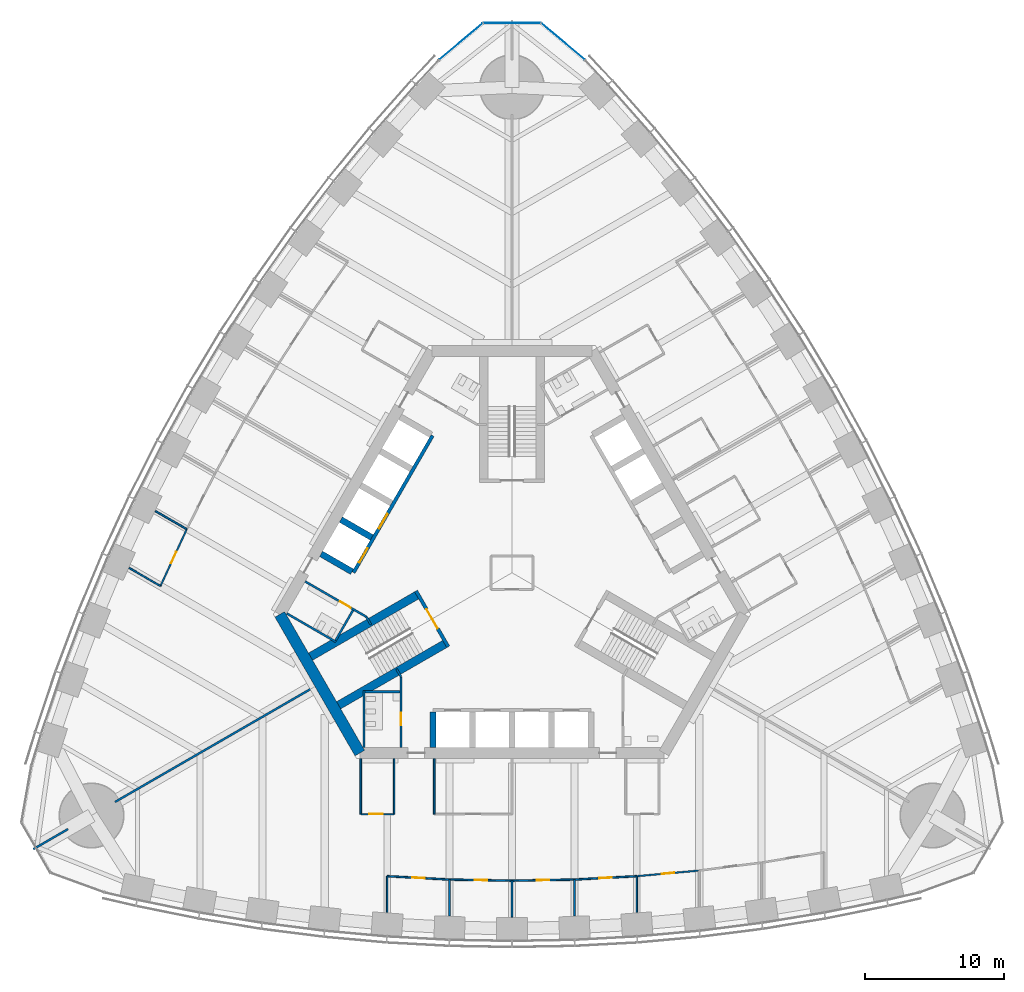
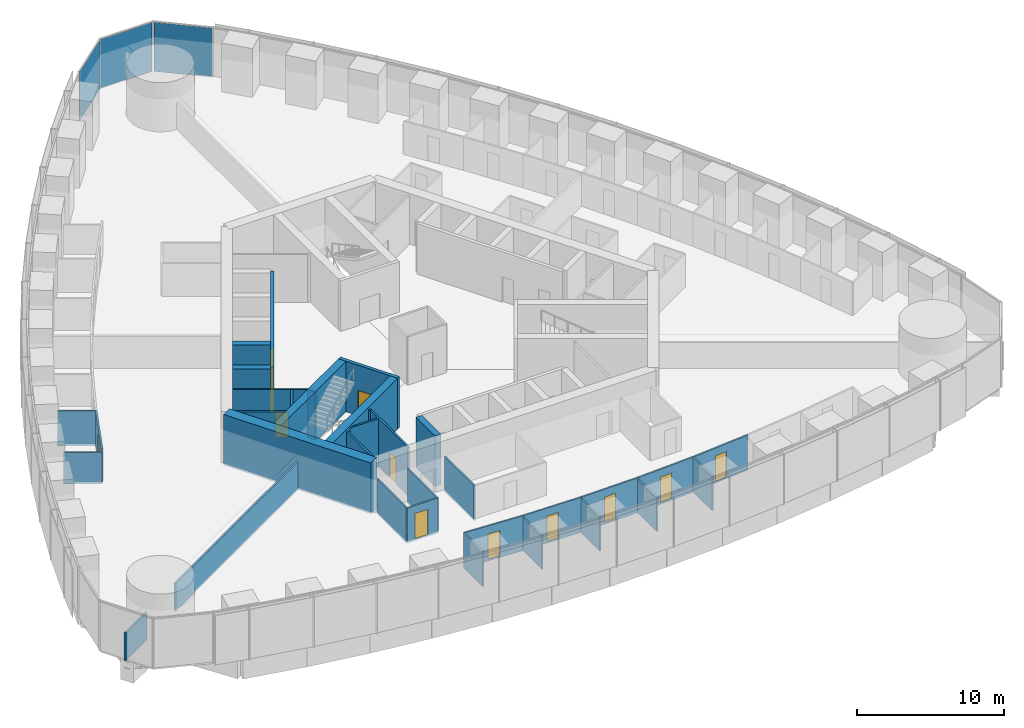
# One storey, part 10 of 19: 35 walls, 12 doors, 3 plates, 12 openings, 1 element without a shape of its own.
"""IFC4 building model written with IfcOpenShell, lengths in metres."""

from ifc_helpers import new_model, si_unit, direction, frame, frame_2d, origin, origin_2d, place, context, subcontext, project, spatial, rectangle, extrude, material, layer, layer_set, type_object, element, fill, aggregate, save


model = new_model("IFC4")

# Units and contexts
model_context = context("Model", 3, precision=1e-05, world=origin(), true_north=direction((0.0, 1.0)))
body_context = subcontext(model_context, "Body", "Model", "MODEL_VIEW")
ifc_project = project(units=[si_unit("LENGTHUNIT", "METRE"), si_unit("AREAUNIT", "SQUARE_METRE"), si_unit("VOLUMEUNIT", "CUBIC_METRE"), si_unit("PLANEANGLEUNIT", "RADIAN"), si_unit("MASSUNIT", "GRAM", prefix="KILO")], contexts=[model_context])

# Site, building, storey
site_placement = place(None, origin())
site = spatial("IfcSite", under=ifc_project, at=site_placement, CompositionType="ELEMENT")
building_placement = place(site_placement, origin())
building = spatial("IfcBuilding", under=site, at=building_placement, Name="Trefoil Bronze Tower", CompositionType="ELEMENT")
storey_placement = place(building_placement, frame((0.0, 0.0, 107.300048828125)))
storey = spatial("IfcBuildingStorey", under=building, at=storey_placement, Name="L24", CompositionType="ELEMENT", Elevation=107.300048828125)

# Curtain wall, plates
ifc_material_1 = material(Name="Tinted solar-control glass", Category="glass")
curtain_wall_type = type_object("IfcCurtainWallType", Name="Bronze rounded corner curtain wall", PredefinedType="USERDEFINED", material=ifc_material_1)
curtain_wall_placement = place(storey_placement, origin())
curtain_wall = element("IfcCurtainWall", 1, at=curtain_wall_placement, inside=storey, type_object=curtain_wall_type, Name="CW-B L24 K2", ObjectType="CURTAIN WALL", PredefinedType="USERDEFINED")
ifc_material_2 = material(Name="Tinted solar-control glass", Category="glass")
ifc_layer_1 = layer(ifc_material_2, 0.030029296875)
ifc_layer_set_1 = layer_set([ifc_layer_1], Name="Bronze rounded corner curtain wall glass panel")
plate_type = type_object("IfcPlateType", Name="Bronze rounded corner curtain wall glass panel", PredefinedType="CURTAIN_PANEL", material=ifc_layer_set_1)
plate_1_placement = place(storey_placement, frame((3.6884765625, 38.294921875, 0.0), z_axis=(0.0, 0.0, 1.0), x_axis=(-0.766044443119, 0.642787609687, 0.0)))
plate_1 = element("IfcPlate", 2, at=plate_1_placement, type_object=plate_type, Name="CW-B L24 K2 panel 1", PredefinedType="CURTAIN_PANEL", context=body_context, shape_type="SweptSolid", body=[
    extrude(rectangle(XDim=4.044189453125, YDim=0.030029296875, at=origin_2d()), origin(), (0.0, 0.0, 1.0), 4.080078125),
])
plate_2_placement = place(storey_placement, frame((0.0, 39.637451171875, 0.0), z_axis=(0.0, 0.0, 1.0), x_axis=(-1.0, 0.0, 0.0)))
plate_2 = element("IfcPlate", 3, at=plate_2_placement, type_object=plate_type, Name="CW-B L24 K2 panel 2", PredefinedType="CURTAIN_PANEL", context=body_context, shape_type="SweptSolid", body=[
    extrude(rectangle(XDim=4.044189453125, YDim=0.030029296875, at=origin_2d()), origin(), (0.0, 0.0, 1.0), 4.080078125),
])
plate_3_placement = place(storey_placement, frame((-3.6884765625, 38.294921875, 0.0), z_axis=(0.0, 0.0, 1.0), x_axis=(-0.766044443119, -0.642787609687, 0.0)))
plate_3 = element("IfcPlate", 4, at=plate_3_placement, type_object=plate_type, Name="CW-B L24 K2 panel 3", PredefinedType="CURTAIN_PANEL", context=body_context, shape_type="SweptSolid", body=[
    extrude(rectangle(XDim=4.044189453125, YDim=0.030029296875, at=origin_2d()), origin(), (0.0, 0.0, 1.0), 4.080078125),
])
aggregate(curtain_wall, [plate_1, plate_2, plate_3])

# Wall
ifc_material_3 = material(Name="Concrete B80", Category="concrete")
ifc_layer_2 = layer(ifc_material_3, 0.800048828125)
ifc_layer_set_2 = layer_set([ifc_layer_2], Name="Core wall 800")
wall_type_1 = type_object("IfcWallType", Name="Core wall 800", PredefinedType="SHEAR", material=ifc_layer_set_2)
wall_1_placement = place(storey_placement, frame((-16.7431640625, -3.0, 0.0), z_axis=(0.0, 0.0, 1.0), x_axis=(0.499995765644, -0.866027848477, 0.0)))
element("IfcWall", 5, at=wall_1_placement, inside=storey, type_object=wall_type_1, Name="Core short wall 3 L24", PredefinedType="SHEAR", context=body_context, shape_type="SweptSolid", body=[
    extrude(rectangle(XDim=11.546875, YDim=0.800048828125, at=frame_2d((5.7734375, 0.0))), origin(), (0.0, 0.0, 1.0), 4.199951171875),
])

# Wall, opening, door
ifc_material_4 = material(Name="Glazed partition", Category="glass")
ifc_layer_3 = layer(ifc_material_4, 0.1201171875)
ifc_layer_set_3 = layer_set([ifc_layer_3], Name="Glazed partition 120")
wall_type_2 = type_object("IfcWallType", Name="Glazed partition 120", PredefinedType="PARTITIONING", material=ifc_layer_set_3)
wall_2_placement = place(storey_placement, frame((-10.89990234375, -17.39990234375, 0.0), z_axis=(0.0, 0.0, 1.0), x_axis=(1.0, 0.0, 0.0)))
wall_2 = element("IfcWall", 6, at=wall_2_placement, inside=storey, type_object=wall_type_2, Name="Partition F1 L24", PredefinedType="PARTITIONING", context=body_context, shape_type="SweptSolid", body=[
    extrude(rectangle(XDim=2.39990234375, YDim=0.1201171875, at=frame_2d((1.199951171875, 0.0))), origin(), (0.0, 0.0, 1.0), 2.89990234375),
])
opening_1_placement = place(wall_2_placement, frame((0.60009765625, 0.0, 0.14990234375)))
opening_1 = element("IfcOpeningElement", 7, at=opening_1_placement, cuts=wall_2, Name="Opening D9", PredefinedType="OPENING", context=body_context, shape_type="SweptSolid", body=[
    extrude(rectangle(XDim=1.0, YDim=2.10009765625, at=frame_2d((0.5, 1.050048828125))), frame((0.0, 0.070068359375, 0.0), z_axis=(0.0, -1.0, 0.0), x_axis=(1.0, 0.0, 0.0)), (0.0, 0.0, 1.0), 0.14013671875),
])
ifc_material_5 = material(Name="Glazed timber door", Category="wood")
door_type_1 = type_object("IfcDoorType", Name="Meeting room door 1000", OperationType="SINGLE_SWING_LEFT", PredefinedType="DOOR", material=ifc_material_5)
door_1_placement = place(opening_1_placement, origin())
door_1 = element("IfcDoor", 8, at=door_1_placement, inside=storey, type_object=door_type_1, Name="Project room door F1 L24", OperationType="SINGLE_SWING_LEFT", OverallHeight=2.10009765625, OverallWidth=1.0, PredefinedType="DOOR", context=body_context, shape_type="SweptSolid", body=[
    extrude(rectangle(XDim=1.0, YDim=2.10009765625, at=frame_2d((0.5, 1.050048828125))), frame((0.0, 0.02490234375, 0.0), z_axis=(0.0, -1.0, 0.0), x_axis=(1.0, 0.0, 0.0)), (0.0, 0.0, 1.0), 0.050048828125),
])
fill(opening_1, door_1)

# Walls
for number, where, z_axis, x_axis, name in (
    (9, (-10.89990234375, -13.39990234375, 0.0), (0.0, 0.0, 1.0), (0.0, -1.0, 0.0), "Partition F1 L24"),
    (10, (-5.60009765625, -13.39990234375, 0.0), (0.0, 0.0, 1.0), (0.0, -1.0, 0.0), "Partition F1 L24"),
    (11, (-8.5, -13.39990234375, 0.0), (0.0, 0.0, 1.0), (0.0, -1.0, 0.0), "Partition F1 L24"),
):
    element("IfcWall", number, at=place(storey_placement, frame(where, z_axis=z_axis, x_axis=x_axis)), inside=storey, type_object=wall_type_2, Name=name, PredefinedType="PARTITIONING", context=body_context, shape_type="SweptSolid", body=[
        extrude(rectangle(XDim=4.0, YDim=0.1201171875, at=frame_2d((2.0, 0.0))), origin(), (0.0, 0.0, 1.0), 2.89990234375),
    ])

# Wall, opening, door
wall_3_placement = place(storey_placement, frame((0.0, -22.19970703125, 0.0), z_axis=(0.0, 0.0, 1.0), x_axis=(0.999837820638, 0.018009231578, 0.0)))
wall_3 = element("IfcWall", 12, at=wall_3_placement, inside=storey, type_object=wall_type_2, Name="Partition F1 L24", PredefinedType="PARTITIONING", context=body_context, shape_type="SweptSolid", body=[
    extrude(rectangle(XDim=4.500732421875, YDim=0.1201171875, at=frame_2d((2.25048828125, 0.0))), origin(), (0.0, 0.0, 1.0), 2.89990234375),
])
opening_2_placement = place(wall_3_placement, frame((1.800048828125, 0.0, 0.14990234375)))
opening_2 = element("IfcOpeningElement", 13, at=opening_2_placement, cuts=wall_3, Name="Opening D8", PredefinedType="OPENING", context=body_context, shape_type="SweptSolid", body=[
    extrude(rectangle(XDim=0.89990234375, YDim=2.10009765625, at=frame_2d((0.449951171875, 1.050048828125))), frame((0.0, 0.070068359375, 0.0), z_axis=(0.0, -1.0, 0.0), x_axis=(1.0, 0.0, 0.0)), (0.0, 0.0, 1.0), 0.14013671875),
])
ifc_material_6 = material(Name="Timber door", Category="wood")
door_type_2 = type_object("IfcDoorType", Name="Office door 900", OperationType="SINGLE_SWING_LEFT", PredefinedType="DOOR", material=ifc_material_6)
door_2_placement = place(opening_2_placement, frame((0.89990234375, 0.0, 0.0), z_axis=(0.0, 0.0, 1.0), x_axis=(-1.0, 0.0, 0.0)))
door_2 = element("IfcDoor", 14, at=door_2_placement, inside=storey, type_object=door_type_2, Name="Office door F1 L24", OperationType="SINGLE_SWING_RIGHT", OverallHeight=2.10009765625, OverallWidth=0.89990234375, PredefinedType="DOOR", context=body_context, shape_type="SweptSolid", body=[
    extrude(rectangle(XDim=0.89990234375, YDim=2.10009765625, at=frame_2d((0.449951171875, 1.050048828125))), frame((0.0, 0.02490234375, 0.0), z_axis=(0.0, -1.0, 0.0), x_axis=(1.0, 0.0, 0.0)), (0.0, 0.0, 1.0), 0.050048828125),
])
fill(opening_2, door_2)

wall_4_placement = place(storey_placement, frame((4.5, -22.11865234375, 0.0), z_axis=(0.0, 0.0, 1.0), x_axis=(0.998537376538, 0.054065771581, 0.0)))
wall_4 = element("IfcWall", 15, at=wall_4_placement, inside=storey, type_object=wall_type_2, Name="Partition F1 L24", PredefinedType="PARTITIONING", context=body_context, shape_type="SweptSolid", body=[
    extrude(rectangle(XDim=4.506591796875, YDim=0.1201171875, at=frame_2d((2.25341796875, 0.0))), origin(), (0.0, 0.0, 1.0), 2.89990234375),
])
opening_3_placement = place(wall_4_placement, frame((1.800048828125, 0.0, 0.14990234375)))
opening_3 = element("IfcOpeningElement", 16, at=opening_3_placement, cuts=wall_4, Name="Opening D8", PredefinedType="OPENING", context=body_context, shape_type="SweptSolid", body=[
    extrude(rectangle(XDim=0.89990234375, YDim=2.10009765625, at=frame_2d((0.449951171875, 1.050048828125))), frame((0.0, 0.070068359375, 0.0), z_axis=(0.0, -1.0, 0.0), x_axis=(1.0, 0.0, 0.0)), (0.0, 0.0, 1.0), 0.14013671875),
])
door_3_placement = place(opening_3_placement, frame((0.89990234375, 0.0, 0.0), z_axis=(0.0, 0.0, 1.0), x_axis=(-1.0, 0.0, 0.0)))
door_3 = element("IfcDoor", 17, at=door_3_placement, inside=storey, type_object=door_type_2, Name="Office door F1 L24", OperationType="SINGLE_SWING_RIGHT", OverallHeight=2.10009765625, OverallWidth=0.89990234375, PredefinedType="DOOR", context=body_context, shape_type="SweptSolid", body=[
    extrude(rectangle(XDim=0.89990234375, YDim=2.10009765625, at=frame_2d((0.449951171875, 1.050048828125))), frame((0.0, 0.02490234375, 0.0), z_axis=(0.0, -1.0, 0.0), x_axis=(1.0, 0.0, 0.0)), (0.0, 0.0, 1.0), 0.050048828125),
])
fill(opening_3, door_3)

wall_5_placement = place(storey_placement, frame((9.0, -21.875, 0.0), z_axis=(0.0, 0.0, 1.0), x_axis=(0.995930325215, 0.090126507295, 0.0)))
wall_5 = element("IfcWall", 18, at=wall_5_placement, inside=storey, type_object=wall_type_2, Name="Partition F1 L24", PredefinedType="PARTITIONING", context=body_context, shape_type="SweptSolid", body=[
    extrude(rectangle(XDim=4.518310546875, YDim=0.1201171875, at=frame_2d((2.25927734375, 0.0))), origin(), (0.0, 0.0, 1.0), 2.89990234375),
])
opening_4_placement = place(wall_5_placement, frame((1.800048828125, 0.0, 0.14990234375)))
opening_4 = element("IfcOpeningElement", 19, at=opening_4_placement, cuts=wall_5, Name="Opening D8", PredefinedType="OPENING", context=body_context, shape_type="SweptSolid", body=[
    extrude(rectangle(XDim=0.89990234375, YDim=2.10009765625, at=frame_2d((0.449951171875, 1.050048828125))), frame((0.0, 0.070068359375, 0.0), z_axis=(0.0, -1.0, 0.0), x_axis=(1.0, 0.0, 0.0)), (0.0, 0.0, 1.0), 0.14013671875),
])
door_4_placement = place(opening_4_placement, frame((0.89990234375, 0.0, 0.0), z_axis=(0.0, 0.0, 1.0), x_axis=(-1.0, 0.0, 0.0)))
door_4 = element("IfcDoor", 20, at=door_4_placement, inside=storey, type_object=door_type_2, Name="Office door F1 L24", OperationType="SINGLE_SWING_RIGHT", OverallHeight=2.10009765625, OverallWidth=0.89990234375, PredefinedType="DOOR", context=body_context, shape_type="SweptSolid", body=[
    extrude(rectangle(XDim=0.89990234375, YDim=2.10009765625, at=frame_2d((0.449951171875, 1.050048828125))), frame((0.0, 0.02490234375, 0.0), z_axis=(0.0, -1.0, 0.0), x_axis=(1.0, 0.0, 0.0)), (0.0, 0.0, 1.0), 0.050048828125),
])
fill(opening_4, door_4)

wall_6_placement = place(storey_placement, frame((-4.5, -22.11865234375, 0.0), z_axis=(0.0, 0.0, 1.0), x_axis=(0.999837820638, -0.018009231578, 0.0)))
wall_6 = element("IfcWall", 21, at=wall_6_placement, inside=storey, type_object=wall_type_2, Name="Partition F1 L24", PredefinedType="PARTITIONING", context=body_context, shape_type="SweptSolid", body=[
    extrude(rectangle(XDim=4.500732421875, YDim=0.1201171875, at=frame_2d((2.25048828125, 0.0))), origin(), (0.0, 0.0, 1.0), 2.89990234375),
])
opening_5_placement = place(wall_6_placement, frame((1.800048828125, 0.0, 0.14990234375)))
opening_5 = element("IfcOpeningElement", 22, at=opening_5_placement, cuts=wall_6, Name="Opening D8", PredefinedType="OPENING", context=body_context, shape_type="SweptSolid", body=[
    extrude(rectangle(XDim=0.89990234375, YDim=2.10009765625, at=frame_2d((0.449951171875, 1.050048828125))), frame((0.0, 0.070068359375, 0.0), z_axis=(0.0, -1.0, 0.0), x_axis=(1.0, 0.0, 0.0)), (0.0, 0.0, 1.0), 0.14013671875),
])
door_5_placement = place(opening_5_placement, frame((0.89990234375, 0.0, 0.0), z_axis=(0.0, 0.0, 1.0), x_axis=(-1.0, 0.0, 0.0)))
door_5 = element("IfcDoor", 23, at=door_5_placement, inside=storey, type_object=door_type_2, Name="Office door F1 L24", OperationType="SINGLE_SWING_RIGHT", OverallHeight=2.10009765625, OverallWidth=0.89990234375, PredefinedType="DOOR", context=body_context, shape_type="SweptSolid", body=[
    extrude(rectangle(XDim=0.89990234375, YDim=2.10009765625, at=frame_2d((0.449951171875, 1.050048828125))), frame((0.0, 0.02490234375, 0.0), z_axis=(0.0, -1.0, 0.0), x_axis=(1.0, 0.0, 0.0)), (0.0, 0.0, 1.0), 0.050048828125),
])
fill(opening_5, door_5)

wall_7_placement = place(storey_placement, frame((-9.0, -21.875, 0.0), z_axis=(0.0, 0.0, 1.0), x_axis=(0.998537376538, -0.054065771581, 0.0)))
wall_7 = element("IfcWall", 24, at=wall_7_placement, inside=storey, type_object=wall_type_2, Name="Partition F1 L24", PredefinedType="PARTITIONING", context=body_context, shape_type="SweptSolid", body=[
    extrude(rectangle(XDim=4.506591796875, YDim=0.1201171875, at=frame_2d((2.25341796875, 0.0))), origin(), (0.0, 0.0, 1.0), 2.89990234375),
])
opening_6_placement = place(wall_7_placement, frame((1.800048828125, 0.0, 0.14990234375)))
opening_6 = element("IfcOpeningElement", 25, at=opening_6_placement, cuts=wall_7, Name="Opening D8", PredefinedType="OPENING", context=body_context, shape_type="SweptSolid", body=[
    extrude(rectangle(XDim=0.89990234375, YDim=2.10009765625, at=frame_2d((0.449951171875, 1.050048828125))), frame((0.0, 0.070068359375, 0.0), z_axis=(0.0, -1.0, 0.0), x_axis=(1.0, 0.0, 0.0)), (0.0, 0.0, 1.0), 0.14013671875),
])
door_6_placement = place(opening_6_placement, frame((0.89990234375, 0.0, 0.0), z_axis=(0.0, 0.0, 1.0), x_axis=(-1.0, 0.0, 0.0)))
door_6 = element("IfcDoor", 26, at=door_6_placement, inside=storey, type_object=door_type_2, Name="Office door F1 L24", OperationType="SINGLE_SWING_RIGHT", OverallHeight=2.10009765625, OverallWidth=0.89990234375, PredefinedType="DOOR", context=body_context, shape_type="SweptSolid", body=[
    extrude(rectangle(XDim=0.89990234375, YDim=2.10009765625, at=frame_2d((0.449951171875, 1.050048828125))), frame((0.0, 0.02490234375, 0.0), z_axis=(0.0, -1.0, 0.0), x_axis=(1.0, 0.0, 0.0)), (0.0, 0.0, 1.0), 0.050048828125),
])
fill(opening_6, door_6)

# Walls
wall_8_placement = place(storey_placement, frame((0.0, -22.19970703125, 0.0), z_axis=(0.0, 0.0, 1.0), x_axis=(0.0, -1.0, 0.0)))
element("IfcWall", 27, at=wall_8_placement, inside=storey, type_object=wall_type_2, Name="Partition F1 L24", PredefinedType="PARTITIONING", context=body_context, shape_type="SweptSolid", body=[
    extrude(rectangle(XDim=2.619873046875, YDim=0.1201171875, at=frame_2d((1.31005859375, 0.0))), origin(), (0.0, 0.0, 1.0), 2.800048828125),
])
wall_9_placement = place(storey_placement, frame((4.5, -22.11865234375, 0.0), z_axis=(0.0, 0.0, 1.0), x_axis=(0.0, -1.0, 0.0)))
element("IfcWall", 28, at=wall_9_placement, inside=storey, type_object=wall_type_2, Name="Partition F1 L24", PredefinedType="PARTITIONING", context=body_context, shape_type="SweptSolid", body=[
    extrude(rectangle(XDim=2.618896484375, YDim=0.1201171875, at=frame_2d((1.3095703125, 0.0))), origin(), (0.0, 0.0, 1.0), 2.800048828125),
])
wall_10_placement = place(storey_placement, frame((9.0, -21.875, 0.0), z_axis=(0.0, 0.0, 1.0), x_axis=(0.0, -1.0, 0.0)))
element("IfcWall", 29, at=wall_10_placement, inside=storey, type_object=wall_type_2, Name="Partition F1 L24", PredefinedType="PARTITIONING", context=body_context, shape_type="SweptSolid", body=[
    extrude(rectangle(XDim=2.61572265625, YDim=0.1201171875, at=frame_2d((1.307861328125, 0.0))), origin(), (0.0, 0.0, 1.0), 2.89990234375),
])
wall_11_placement = place(storey_placement, frame((-4.5, -22.11865234375, 0.0), z_axis=(0.0, 0.0, 1.0), x_axis=(0.0, -1.0, 0.0)))
element("IfcWall", 30, at=wall_11_placement, inside=storey, type_object=wall_type_2, Name="Partition F1 L24", PredefinedType="PARTITIONING", context=body_context, shape_type="SweptSolid", body=[
    extrude(rectangle(XDim=2.618896484375, YDim=0.1201171875, at=frame_2d((1.3095703125, 0.0))), origin(), (0.0, 0.0, 1.0), 2.800048828125),
])
wall_12_placement = place(storey_placement, frame((-9.0, -21.875, 0.0), z_axis=(0.0, 0.0, 1.0), x_axis=(0.0, -1.0, 0.0)))
element("IfcWall", 31, at=wall_12_placement, inside=storey, type_object=wall_type_2, Name="Partition F1 L24", PredefinedType="PARTITIONING", context=body_context, shape_type="SweptSolid", body=[
    extrude(rectangle(XDim=2.61572265625, YDim=0.1201171875, at=frame_2d((1.307861328125, 0.0))), origin(), (0.0, 0.0, 1.0), 2.89990234375),
])

# Wall, opening, door
wall_13_placement = place(storey_placement, frame((-23.4443359375, 3.143310546875, 0.0), z_axis=(0.0, 0.0, 1.0), x_axis=(-0.419883773418, -0.907577884713, 0.0)))
wall_13 = element("IfcWall", 32, at=wall_13_placement, inside=storey, type_object=wall_type_2, Name="Partition F3 L24", PredefinedType="PARTITIONING", context=body_context, shape_type="SweptSolid", body=[
    extrude(rectangle(XDim=4.5185546875, YDim=0.1201171875, at=frame_2d((2.25927734375, 0.0))), origin(), (0.0, 0.0, 1.0), 2.89990234375),
])
opening_7_placement = place(wall_13_placement, frame((1.800048828125, 0.0, 0.14990234375)))
opening_7 = element("IfcOpeningElement", 33, at=opening_7_placement, cuts=wall_13, Name="Opening D8", PredefinedType="OPENING", context=body_context, shape_type="SweptSolid", body=[
    extrude(rectangle(XDim=0.89990234375, YDim=2.10009765625, at=frame_2d((0.449951171875, 1.050048828125))), frame((0.0, 0.070068359375, 0.0), z_axis=(0.0, -1.0, 0.0), x_axis=(1.0, 0.0, 0.0)), (0.0, 0.0, 1.0), 0.14013671875),
])
door_7_placement = place(opening_7_placement, frame((0.89990234375, 0.0, 0.0), z_axis=(0.0, 0.0, 1.0), x_axis=(-1.0, 0.0, 0.0)))
door_7 = element("IfcDoor", 34, at=door_7_placement, inside=storey, type_object=door_type_2, Name="Office door F3 L24", OperationType="SINGLE_SWING_RIGHT", OverallHeight=2.10009765625, OverallWidth=0.89990234375, PredefinedType="DOOR", context=body_context, shape_type="SweptSolid", body=[
    extrude(rectangle(XDim=0.89990234375, YDim=2.10009765625, at=frame_2d((0.449951171875, 1.050048828125))), frame((0.0, 0.02490234375, 0.0), z_axis=(0.0, -1.0, 0.0), x_axis=(1.0, 0.0, 0.0)), (0.0, 0.0, 1.0), 0.050048828125),
])
fill(opening_7, door_7)

# Walls
wall_14_placement = place(storey_placement, frame((-25.341552734375, -0.95751953125, 0.0), z_axis=(0.0, 0.0, 1.0), x_axis=(-0.866036074319, 0.499981517636, 0.0)))
element("IfcWall", 35, at=wall_14_placement, inside=storey, type_object=wall_type_2, Name="Partition F3 L24", PredefinedType="PARTITIONING", context=body_context, shape_type="SweptSolid", body=[
    extrude(rectangle(XDim=2.6103515625, YDim=0.1201171875, at=frame_2d((1.30517578125, 0.0))), origin(), (0.0, 0.0, 1.0), 2.599853515625),
])
wall_15_placement = place(storey_placement, frame((-23.4443359375, 3.143310546875, 0.0), z_axis=(0.0, 0.0, 1.0), x_axis=(-0.866011491631, 0.500024095782, 0.0)))
element("IfcWall", 36, at=wall_15_placement, inside=storey, type_object=wall_type_2, Name="Partition F3 L24", PredefinedType="PARTITIONING", context=body_context, shape_type="SweptSolid", body=[
    extrude(rectangle(XDim=2.615478515625, YDim=0.1201171875, at=frame_2d((1.3076171875, 0.0))), origin(), (0.0, 0.0, 1.0), 2.89990234375),
])
ifc_material_7 = material(Name="Concrete B80", Category="concrete")
ifc_layer_4 = layer(ifc_material_7, 0.449951171875)
ifc_layer_set_4 = layer_set([ifc_layer_4], Name="Outrigger shaft wall 450")
wall_type_3 = type_object("IfcWallType", Name="Outrigger shaft wall 450", PredefinedType="SHEAR", material=ifc_layer_set_4)
wall_16_placement = place(storey_placement, frame((-5.699951171875, -10.02490234375, 0.0), z_axis=(0.0, 0.0, 1.0), x_axis=(0.0, -1.0, 0.0)))
element("IfcWall", 37, at=wall_16_placement, inside=storey, type_object=wall_type_3, Name="Lift shaft side wall A0 L24", PredefinedType="SHEAR", context=body_context, shape_type="SweptSolid", body=[
    extrude(rectangle(XDim=2.5751953125, YDim=0.449951171875, at=frame_2d((1.28759765625, 0.0))), origin(), (0.0, 0.0, 1.0), 4.199951171875),
])
for number, where, z_axis, x_axis, name in (
    (38, (-10.10693359375, 2.54443359375, 0.0), (0.0, 0.0, 1.0), (-0.866046643894, 0.499963209246, 0.0), "Lift shaft side wall C3 L24"),
    (39, (-11.531982421875, 0.076171875, 0.0), (0.0, 0.0, 1.0), (-0.866005588531, 0.500034319456, 0.0), "Lift shaft side wall C4 L24"),
):
    element("IfcWall", number, at=place(storey_placement, frame(where, z_axis=z_axis, x_axis=x_axis)), inside=storey, type_object=wall_type_3, Name=name, PredefinedType="SHEAR", context=body_context, shape_type="SweptSolid", body=[
        extrude(rectangle(XDim=2.574951171875, YDim=0.449951171875, at=frame_2d((1.28759765625, 0.0))), origin(), (0.0, 0.0, 1.0), 4.199951171875),
    ])

# Wall, opening, door
ifc_material_8 = material(Name="Gypsum board on steel studs", Category="steel")
ifc_layer_5 = layer(ifc_material_8, 0.14990234375)
ifc_layer_set_5 = layer_set([ifc_layer_5], Name="Partition 150")
wall_type_4 = type_object("IfcWallType", Name="Partition 150", PredefinedType="PARTITIONING", material=ifc_layer_set_5)
wall_17_placement = place(storey_placement, frame((-8.0, -7.5, 0.0), z_axis=(0.0, 0.0, 1.0), x_axis=(0.0, -1.0, 0.0)))
wall_17 = element("IfcWall", 40, at=wall_17_placement, inside=storey, type_object=wall_type_4, Name="Passage wall F1- L24", PredefinedType="PARTITIONING", context=body_context, shape_type="SweptSolid", body=[
    extrude(rectangle(XDim=5.10009765625, YDim=0.14990234375, at=frame_2d((2.550048828125, 0.0))), origin(), (0.0, 0.0, 1.0), 4.0),
])
opening_8_placement = place(wall_17_placement, frame((2.60009765625, 0.0, 0.0)))
opening_8 = element("IfcOpeningElement", 41, at=opening_8_placement, cuts=wall_17, Name="Opening D3", PredefinedType="OPENING", context=body_context, shape_type="SweptSolid", body=[
    extrude(rectangle(XDim=0.89990234375, YDim=2.10009765625, at=frame_2d((0.449951171875, 1.050048828125))), frame((0.0, 0.0849609375, 0.0), z_axis=(0.0, -1.0, 0.0), x_axis=(1.0, 0.0, 0.0)), (0.0, 0.0, 1.0), 0.169921875),
])
ifc_material_9 = material(Name="Timber door", Category="wood")
door_type_3 = type_object("IfcDoorType", Name="WC door 900", OperationType="SINGLE_SWING_LEFT", PredefinedType="DOOR", material=ifc_material_9)
door_8_placement = place(opening_8_placement, frame((0.89990234375, 0.0, 0.0), z_axis=(0.0, 0.0, 1.0), x_axis=(-1.0, 0.0, 0.0)))
door_8 = element("IfcDoor", 42, at=door_8_placement, inside=storey, type_object=door_type_3, Name="WC (women) door L24", OperationType="SINGLE_SWING_RIGHT", OverallHeight=2.10009765625, OverallWidth=0.89990234375, PredefinedType="DOOR", context=body_context, shape_type="SweptSolid", body=[
    extrude(rectangle(XDim=0.89990234375, YDim=2.10009765625, at=frame_2d((0.449951171875, 1.050048828125))), frame((0.0, 0.02490234375, 0.0), z_axis=(0.0, -1.0, 0.0), x_axis=(1.0, 0.0, 0.0)), (0.0, 0.0, 1.0), 0.050048828125),
])
fill(opening_8, door_8)

wall_18_placement = place(storey_placement, frame((-10.4951171875, -3.17822265625, 0.0), z_axis=(0.0, 0.0, 1.0), x_axis=(-0.86602216432, 0.500005610874, 0.0)))
wall_18 = element("IfcWall", 43, at=wall_18_placement, inside=storey, type_object=wall_type_4, Name="Passage wall F3+ L24", PredefinedType="PARTITIONING", context=body_context, shape_type="SweptSolid", body=[
    extrude(rectangle(XDim=5.10009765625, YDim=0.14990234375, at=frame_2d((2.550048828125, 0.0))), origin(), (0.0, 0.0, 1.0), 4.0),
])
opening_9_placement = place(wall_18_placement, frame((1.300048828125, 0.0, 0.0)))
opening_9 = element("IfcOpeningElement", 44, at=opening_9_placement, cuts=wall_18, Name="Opening D3", PredefinedType="OPENING", context=body_context, shape_type="SweptSolid", body=[
    extrude(rectangle(XDim=0.89990234375, YDim=2.10009765625, at=frame_2d((0.449951171875, 1.050048828125))), frame((0.0, 0.0849609375, 0.0), z_axis=(0.0, -1.0, 0.0), x_axis=(1.0, 0.0, 0.0)), (0.0, 0.0, 1.0), 0.169921875),
])
door_9_placement = place(opening_9_placement, origin())
door_9 = element("IfcDoor", 45, at=door_9_placement, inside=storey, type_object=door_type_3, Name="WC (men) door L24", OperationType="SINGLE_SWING_LEFT", OverallHeight=2.10009765625, OverallWidth=0.89990234375, PredefinedType="DOOR", context=body_context, shape_type="SweptSolid", body=[
    extrude(rectangle(XDim=0.89990234375, YDim=2.10009765625, at=frame_2d((0.449951171875, 1.050048828125))), frame((0.0, 0.02490234375, 0.0), z_axis=(0.0, -1.0, 0.0), x_axis=(1.0, 0.0, 0.0)), (0.0, 0.0, 1.0), 0.050048828125),
])
fill(opening_9, door_9)

# Walls
for number, where, z_axis, x_axis, name in (
    (46, (-10.4951171875, -3.17822265625, 0.0), (0.0, 0.0, 1.0), (0.499842556608, -0.866116284689, 0.0), "WC wall ST3-1 L24"),
    (47, (-8.0, -7.5, 0.0), (0.0, 0.0, 1.0), (-0.499842556608, 0.866116284689, 0.0), "WC wall ST3+1 L24"),
):
    element("IfcWall", number, at=place(storey_placement, frame(where, z_axis=z_axis, x_axis=x_axis)), inside=storey, type_object=wall_type_4, Name=name, PredefinedType="PARTITIONING", context=body_context, shape_type="SweptSolid", body=[
        extrude(rectangle(XDim=0.645263671875, YDim=0.14990234375, at=frame_2d((0.32275390625, 0.0))), origin(), (0.0, 0.0, 1.0), 4.0),
    ])
wall_19_placement = place(storey_placement, frame((-12.691162109375, -4.98193359375, 0.0), z_axis=(0.0, 0.0, 1.0), x_axis=(-0.8660249478, 0.500000789788, 0.0)))
element("IfcWall", 48, at=wall_19_placement, inside=storey, type_object=wall_type_4, Name="WC partition WC (men) L24", PredefinedType="PARTITIONING", context=body_context, shape_type="SweptSolid", body=[
    extrude(rectangle(XDim=4.10009765625, YDim=0.14990234375, at=frame_2d((2.050048828125, 0.0))), origin(), (0.0, 0.0, 1.0), 4.0),
])
wall_20_placement = place(storey_placement, frame((-11.463623046875, -2.70556640625, 0.0), z_axis=(0.0, 0.0, 1.0), x_axis=(-0.50001992892, -0.866013897511, 0.0)))
element("IfcWall", 49, at=wall_20_placement, inside=storey, type_object=wall_type_4, Name="WC partition WC (men) L24", PredefinedType="PARTITIONING", context=body_context, shape_type="SweptSolid", body=[
    extrude(rectangle(XDim=2.51025390625, YDim=0.14990234375, at=frame_2d((1.255126953125, 0.0))), origin(), (0.0, 0.0, 1.0), 4.0),
])
wall_21_placement = place(storey_placement, frame((-10.659912109375, -8.5, 0.0), z_axis=(0.0, 0.0, 1.0), x_axis=(0.0, -1.0, 0.0)))
element("IfcWall", 50, at=wall_21_placement, inside=storey, type_object=wall_type_4, Name="WC partition WC (women) L24", PredefinedType="PARTITIONING", context=body_context, shape_type="SweptSolid", body=[
    extrude(rectangle(XDim=4.10009765625, YDim=0.14990234375, at=frame_2d((2.050048828125, 0.0))), origin(), (0.0, 0.0, 1.0), 4.0),
])
wall_22_placement = place(storey_placement, frame((-8.074951171875, -8.574951171875, 0.0), z_axis=(0.0, 0.0, 1.0), x_axis=(-1.0, 0.0, 0.0)))
element("IfcWall", 51, at=wall_22_placement, inside=storey, type_object=wall_type_4, Name="WC partition WC (women) L24", PredefinedType="PARTITIONING", context=body_context, shape_type="SweptSolid", body=[
    extrude(rectangle(XDim=2.510009765625, YDim=0.14990234375, at=frame_2d((1.2548828125, 0.0))), origin(), (0.0, 0.0, 1.0), 4.0),
])
ifc_material_10 = material(Name="Gypsum board on steel studs", Category="steel")
ifc_layer_6 = layer(ifc_material_10, 0.14990234375)
ifc_layer_set_6 = layer_set([ifc_layer_6], Name="Party wall 150")
wall_type_5 = type_object("IfcWallType", Name="Party wall 150", PredefinedType="PARTITIONING", material=ifc_layer_set_6)
wall_23_placement = place(storey_placement, frame((-14.202880859375, -8.199951171875, 0.0), z_axis=(0.0, 0.0, 1.0), x_axis=(-0.866024668836, -0.500001272966, 0.0)))
element("IfcWall", 52, at=wall_23_placement, inside=storey, type_object=wall_type_5, Name="Party wall K3 L24", PredefinedType="PARTITIONING", context=body_context, shape_type="SweptSolid", body=[
    extrude(rectangle(XDim=16.64990234375, YDim=0.14990234375, at=frame_2d((8.324951171875, 0.0))), origin(), (0.0, 0.0, 1.0), 2.300048828125),
])
wall_24_placement = place(storey_placement, frame((-31.999755859375, -18.47509765625, 0.0), z_axis=(0.0, 0.0, 1.0), x_axis=(-0.866042548026, -0.499970304126, 0.0)))
element("IfcWall", 53, at=wall_24_placement, inside=storey, type_object=wall_type_5, Name="Party wall K3 L24", PredefinedType="PARTITIONING", context=body_context, shape_type="SweptSolid", body=[
    extrude(rectangle(XDim=2.899169921875, YDim=0.14990234375, at=frame_2d((1.44970703125, 0.0))), origin(), (0.0, 0.0, 1.0), 2.300048828125),
])

# Wall, openings, doors
ifc_material_11 = material(Name="Concrete B80", Category="concrete")
ifc_layer_7 = layer(ifc_material_11, 0.25)
ifc_layer_set_7 = layer_set([ifc_layer_7], Name="Shaft wall 250")
wall_type_6 = type_object("IfcWallType", Name="Shaft wall 250", PredefinedType="SHEAR", material=ifc_layer_set_7)
wall_25_placement = place(storey_placement, frame((-5.7236328125, 9.88623046875, 0.0), z_axis=(0.0, 0.0, 1.0), x_axis=(-0.500001763848, -0.866024385424, 0.0)))
wall_25 = element("IfcWall", 54, at=wall_25_placement, inside=storey, type_object=wall_type_6, Name="Lift shaft front wall C L24", PredefinedType="SHEAR", context=body_context, shape_type="SweptSolid", body=[
    extrude(rectangle(XDim=11.39990234375, YDim=0.25, at=frame_2d((5.699951171875, 0.0))), origin(), (0.0, 0.0, 1.0), 4.199951171875),
])
opening_10_placement = place(wall_25_placement, frame((6.52490234375, 0.0, 0.0)))
opening_10 = element("IfcOpeningElement", 55, at=opening_10_placement, cuts=wall_25, Name="Opening LD-FL1", PredefinedType="OPENING", context=body_context, shape_type="SweptSolid", body=[
    extrude(rectangle(XDim=1.199951171875, YDim=2.199951171875, at=frame_2d((0.60009765625, 1.10009765625))), frame((0.0, 0.135009765625, 0.0), z_axis=(0.0, -1.0, 0.0), x_axis=(1.0, 0.0, 0.0)), (0.0, 0.0, 1.0), 0.27001953125),
])
opening_11_placement = place(wall_25_placement, frame((9.375, 0.0, 0.0)))
opening_11 = element("IfcOpeningElement", 56, at=opening_11_placement, cuts=wall_25, Name="Opening LD-FL2", PredefinedType="OPENING", context=body_context, shape_type="SweptSolid", body=[
    extrude(rectangle(XDim=1.199951171875, YDim=2.199951171875, at=frame_2d((0.60009765625, 1.10009765625))), frame((0.0, 0.135009765625, 0.0), z_axis=(0.0, -1.0, 0.0), x_axis=(1.0, 0.0, 0.0)), (0.0, 0.0, 1.0), 0.27001953125),
])
ifc_material_12 = material(Name="Steel door", Category="steel")
door_type_4 = type_object("IfcDoorType", Name="Lift landing door 1200", OperationType="DOUBLE_DOOR_SLIDING", PredefinedType="DOOR", material=ifc_material_12)
door_10_placement = place(opening_10_placement, origin())
door_10 = element("IfcDoor", 57, at=door_10_placement, inside=storey, type_object=door_type_4, Name="Lift FL1 landing door L24", OperationType="DOUBLE_DOOR_SLIDING", OverallHeight=2.199951171875, OverallWidth=1.199951171875, PredefinedType="DOOR", context=body_context, shape_type="SweptSolid", body=[
    extrude(rectangle(XDim=1.199951171875, YDim=2.199951171875, at=frame_2d((0.60009765625, 1.10009765625))), frame((0.0, 0.02490234375, 0.0), z_axis=(0.0, -1.0, 0.0), x_axis=(1.0, 0.0, 0.0)), (0.0, 0.0, 1.0), 0.050048828125),
])
fill(opening_10, door_10)
door_11_placement = place(opening_11_placement, origin())
door_11 = element("IfcDoor", 58, at=door_11_placement, inside=storey, type_object=door_type_4, Name="Lift FL2 landing door L24", OperationType="DOUBLE_DOOR_SLIDING", OverallHeight=2.199951171875, OverallWidth=1.199951171875, PredefinedType="DOOR", context=body_context, shape_type="SweptSolid", body=[
    extrude(rectangle(XDim=1.199951171875, YDim=2.199951171875, at=frame_2d((0.60009765625, 1.10009765625))), frame((0.0, 0.02490234375, 0.0), z_axis=(0.0, -1.0, 0.0), x_axis=(1.0, 0.0, 0.0)), (0.0, 0.0, 1.0), 0.050048828125),
])
fill(opening_11, door_11)

# Wall, opening, door
wall_26_placement = place(storey_placement, frame((-6.921630859375, -1.3115234375, 0.0), z_axis=(0.0, 0.0, 1.0), x_axis=(0.499984536904, -0.866034331223, 0.0)))
wall_26 = element("IfcWall", 59, at=wall_26_placement, inside=storey, type_object=wall_type_6, Name="Stair end wall ST3 L24", PredefinedType="SHEAR", context=body_context, shape_type="SweptSolid", body=[
    extrude(rectangle(XDim=4.650146484375, YDim=0.25, at=frame_2d((2.3251953125, 0.0))), origin(), (0.0, 0.0, 1.0), 4.199951171875),
])
opening_12_placement = place(wall_26_placement, frame((1.52490234375, 0.0, 0.0)))
opening_12 = element("IfcOpeningElement", 60, at=opening_12_placement, cuts=wall_26, Name="Opening D1", PredefinedType="OPENING", context=body_context, shape_type="SweptSolid", body=[
    extrude(rectangle(XDim=1.60009765625, YDim=2.10009765625, at=frame_2d((0.800048828125, 1.050048828125))), frame((0.0, 0.135009765625, 0.0), z_axis=(0.0, -1.0, 0.0), x_axis=(1.0, 0.0, 0.0)), (0.0, 0.0, 1.0), 0.27001953125),
])
ifc_material_13 = material(Name="Steel door", Category="steel")
door_type_5 = type_object("IfcDoorType", Name="Stair door 1600", OperationType="DOUBLE_DOOR_SINGLE_SWING", PredefinedType="DOOR", material=ifc_material_13)
door_12_placement = place(opening_12_placement, frame((1.60009765625, 0.0, 0.0), z_axis=(0.0, 0.0, 1.0), x_axis=(-1.0, 0.0, 0.0)))
door_12 = element("IfcDoor", 61, at=door_12_placement, inside=storey, type_object=door_type_5, Name="Stair door ST3 L24", OperationType="DOUBLE_DOOR_SINGLE_SWING", OverallHeight=2.10009765625, OverallWidth=1.60009765625, PredefinedType="DOOR", context=body_context, shape_type="SweptSolid", body=[
    extrude(rectangle(XDim=1.60009765625, YDim=2.10009765625, at=frame_2d((0.800048828125, 1.050048828125))), frame((0.0, 0.02490234375, 0.0), z_axis=(0.0, -1.0, 0.0), x_axis=(1.0, 0.0, 0.0)), (0.0, 0.0, 1.0), 0.050048828125),
])
fill(opening_12, door_12)

# Walls
ifc_material_14 = material(Name="Concrete B80", Category="concrete")
ifc_layer_8 = layer(ifc_material_14, 0.60009765625)
ifc_layer_set_8 = layer_set([ifc_layer_8], Name="Stair wall 600")
wall_type_7 = type_object("IfcWallType", Name="Stair wall 600", PredefinedType="SHEAR", material=ifc_layer_set_8)
for number, where, z_axis, x_axis, name in (
    (62, (-6.663330078125, -1.5087890625, 0.0), (0.0, 0.0, 1.0), (-0.866019375473, -0.500010441196, 0.0), "Stair wall ST3 L24"),
    (63, (-4.638427734375, -5.01611328125, 0.0), (0.0, 0.0, 1.0), (-0.866019375473, -0.500010441196, 0.0), "Stair wall ST3 L24"),
):
    element("IfcWall", number, at=place(storey_placement, frame(where, z_axis=z_axis, x_axis=x_axis)), inside=storey, type_object=wall_type_7, Name=name, PredefinedType="SHEAR", context=body_context, shape_type="SweptSolid", body=[
        extrude(rectangle(XDim=9.074951171875, YDim=0.60009765625, at=frame_2d((4.53759765625, 0.0))), origin(), (0.0, 0.0, 1.0), 4.199951171875),
    ])

save(model, "model.ifc")
